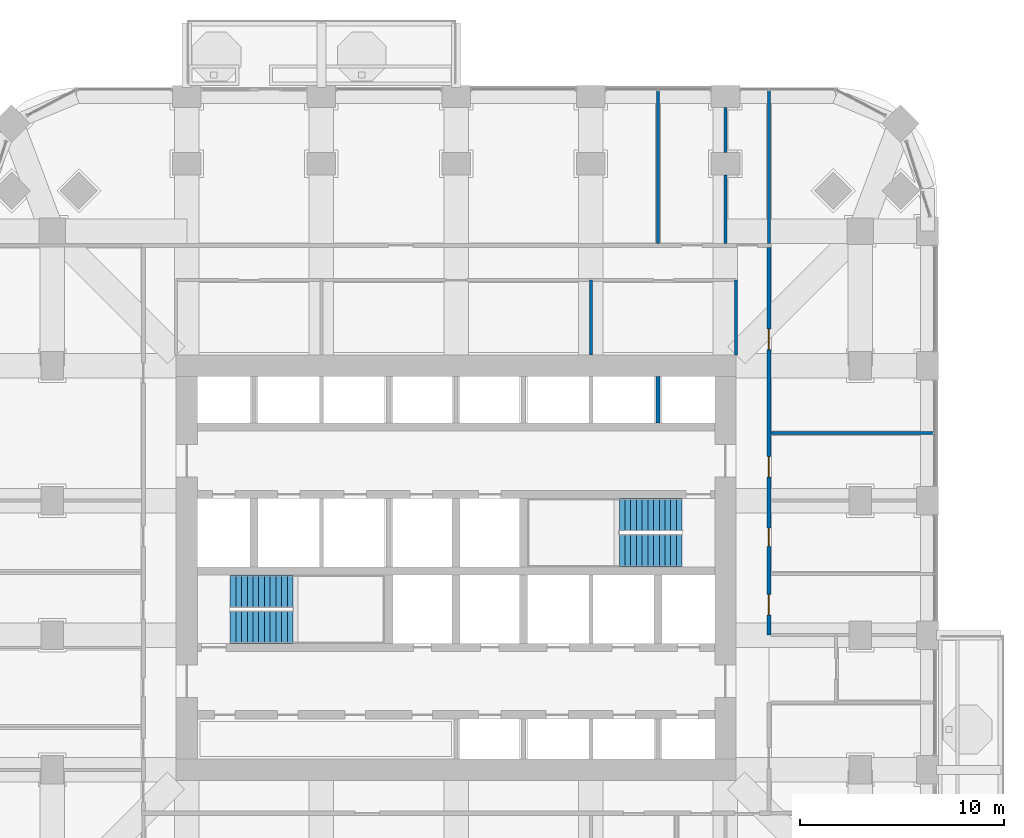
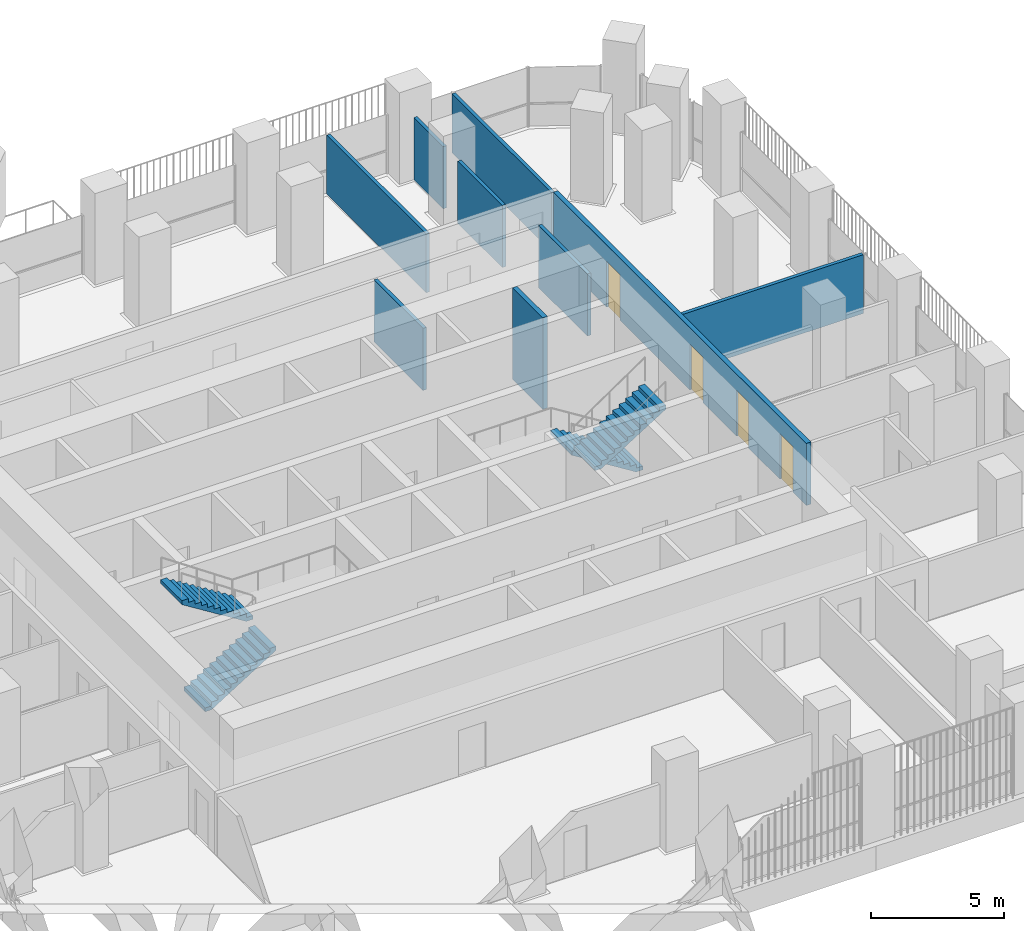
# One storey, part 16 of 21: 9 walls, 4 doors, 4 stair flights, 4 openings, 2 elements without a shape of their own.
"""IFC4 building model written with IfcOpenShell, lengths in metres."""

from ifc_helpers import new_model, si_unit, direction, frame, frame_2d, origin, place, context, subcontext, project, spatial, polyline, rectangle, outline, extrude, material, layer, layer_set, type_object, element, fill, aggregate, save


model = new_model("IFC4")

# Units and contexts
model_context = context("Model", 3, precision=1e-05, world=origin(), true_north=direction((0.0, 1.0)))
body_context = subcontext(model_context, "Body", "Model", "MODEL_VIEW")
ifc_project = project(units=[si_unit("LENGTHUNIT", "METRE"), si_unit("AREAUNIT", "SQUARE_METRE"), si_unit("VOLUMEUNIT", "CUBIC_METRE"), si_unit("PLANEANGLEUNIT", "RADIAN"), si_unit("MASSUNIT", "GRAM", prefix="KILO")], contexts=[model_context])

# Site, building, storey
site_placement = place(None, origin())
site = spatial("IfcSite", under=ifc_project, at=site_placement, CompositionType="ELEMENT")
building_placement = place(site_placement, origin())
building = spatial("IfcBuilding", under=site, at=building_placement, Name="Cobogo Forest Laboratory Tower", CompositionType="ELEMENT")
storey_placement = place(building_placement, frame((0.0, 0.0, 124.199951171875)))
storey = spatial("IfcBuildingStorey", under=building, at=storey_placement, Name="L28", CompositionType="ELEMENT", Elevation=124.199951171875)

# Walls
ifc_material_1 = material(Name="Gypsum board on steel studs", Category="steel")
ifc_layer_1 = layer(ifc_material_1, 0.14990234375)
ifc_layer_set_1 = layer_set([ifc_layer_1], Name="PT1 laboratory partition 150")
wall_type_1 = type_object("IfcWallType", Name="PT1 laboratory partition 150", PredefinedType="PARTITIONING", material=ifc_layer_set_1)
for number, where, z_axis, x_axis, name in (
    (1, (40.125, 33.52490234375, 0.0), (0.0, 0.0, 1.0), (0.0, 1.0, 0.0), "Partition CSTRIP-NE L28"),
    (2, (33.0, 33.52490234375, 0.0), (0.0, 0.0, 1.0), (0.0, 1.0, 0.0), "Partition CSTRIP-N33 L28"),
):
    element("IfcWall", number, at=place(storey_placement, frame(where, z_axis=z_axis, x_axis=x_axis)), inside=storey, type_object=wall_type_1, Name=name, PredefinedType="PARTITIONING", context=body_context, shape_type="SweptSolid", body=[
        extrude(rectangle(XDim=3.675048828125, YDim=0.14990234375, at=frame_2d((1.83740234375, 0.0))), origin(), (0.0, 0.0, 1.0), 2.85009765625),
    ])
wall_1_placement = place(storey_placement, frame((41.72509765625, 46.469970703125, 0.0), z_axis=(0.0, 0.0, 1.0), x_axis=(0.0, -1.0, 0.0)))
element("IfcWall", 3, at=wall_1_placement, inside=storey, type_object=wall_type_1, Name="Partition PW-NE L28", PredefinedType="PARTITIONING", context=body_context, shape_type="SweptSolid", body=[
    extrude(rectangle(XDim=7.469970703125, YDim=0.14990234375, at=frame_2d((3.73486328125, 0.0))), origin(), (0.0, 0.0, 1.0), 2.699951171875),
])
wall_2_placement = place(storey_placement, frame((49.77001953125, 29.699951171875, 0.0), z_axis=(0.0, 0.0, 1.0), x_axis=(-1.0, 0.0, 0.0)))
element("IfcWall", 4, at=wall_2_placement, inside=storey, type_object=wall_type_1, Name="Partition CUT-E29.7-1 L28", PredefinedType="PARTITIONING", context=body_context, shape_type="SweptSolid", body=[
    extrude(rectangle(XDim=7.945068359375, YDim=0.14990234375, at=frame_2d((3.97265625, 0.0))), origin(), (0.0, 0.0, 1.0), 2.699951171875),
])
wall_3_placement = place(storey_placement, frame((36.300048828125, 46.469970703125, 0.0), z_axis=(0.0, 0.0, 1.0), x_axis=(0.0, -1.0, 0.0)))
element("IfcWall", 5, at=wall_3_placement, inside=storey, type_object=wall_type_1, Name="Partition CUT-N36.3-1 L28", PredefinedType="PARTITIONING", context=body_context, shape_type="SweptSolid", body=[
    extrude(rectangle(XDim=7.469970703125, YDim=0.14990234375, at=frame_2d((3.73486328125, 0.0))), origin(), (0.0, 0.0, 1.0), 2.699951171875),
])
wall_4_placement = place(storey_placement, frame((39.60009765625, 45.64990234375, 0.0), z_axis=(0.0, 0.0, 1.0), x_axis=(0.0, -1.0, 0.0)))
element("IfcWall", 6, at=wall_4_placement, inside=storey, type_object=wall_type_1, Name="Partition CUT-N39.6-1 L28", PredefinedType="PARTITIONING", context=body_context, shape_type="SweptSolid", body=[
    extrude(rectangle(XDim=2.199951171875, YDim=0.14990234375, at=frame_2d((1.10009765625, 0.0))), origin(), (0.0, 0.0, 1.0), 2.85009765625),
])
wall_5_placement = place(storey_placement, frame((39.60009765625, 42.35009765625, 0.0), z_axis=(0.0, 0.0, 1.0), x_axis=(0.0, -1.0, 0.0)))
element("IfcWall", 7, at=wall_5_placement, inside=storey, type_object=wall_type_1, Name="Partition CUT-N39.6-2 L28", PredefinedType="PARTITIONING", context=body_context, shape_type="SweptSolid", body=[
    extrude(rectangle(XDim=3.35009765625, YDim=0.14990234375, at=frame_2d((1.675048828125, 0.0))), origin(), (0.0, 0.0, 1.0), 2.85009765625),
])

# Wall, openings, doors
ifc_layer_2 = layer(ifc_material_1, 0.199951171875)
ifc_layer_set_2 = layer_set([ifc_layer_2], Name="PT2 fire-rated corridor partition 200")
wall_type_2 = type_object("IfcWallType", Name="PT2 fire-rated corridor partition 200", PredefinedType="PARTITIONING", material=ifc_layer_set_2)
wall_6_placement = place(storey_placement, frame((41.72509765625, 19.800048828125, 0.0), z_axis=(0.0, 0.0, 1.0), x_axis=(0.0, 1.0, 0.0)))
wall_6 = element("IfcWall", 8, at=wall_6_placement, inside=storey, type_object=wall_type_2, Name="Partition CORR-E-2 L28", PredefinedType="PARTITIONING", context=body_context, shape_type="SweptSolid", body=[
    extrude(rectangle(XDim=19.0, YDim=0.199951171875, at=frame_2d((9.5, 0.0))), origin(), (0.0, 0.0, 1.0), 2.85009765625),
])
opening_1_placement = place(wall_6_placement, frame((1.0, 0.0, 0.0)))
opening_1 = element("IfcOpeningElement", 9, at=opening_1_placement, cuts=wall_6, Name="Opening L28-D25", PredefinedType="OPENING", context=body_context, shape_type="SweptSolid", body=[
    extrude(rectangle(XDim=1.0, YDim=2.10009765625, at=frame_2d((0.5, 1.050048828125))), frame((0.0, 0.10986328125, 0.0), z_axis=(0.0, -1.0, 0.0), x_axis=(1.0, 0.0, 0.0)), (0.0, 0.0, 1.0), 0.219970703125),
])
opening_2_placement = place(wall_6_placement, frame((4.35009765625, 0.0, 0.0)))
opening_2 = element("IfcOpeningElement", 10, at=opening_2_placement, cuts=wall_6, Name="Opening L28-D26", PredefinedType="OPENING", context=body_context, shape_type="SweptSolid", body=[
    extrude(rectangle(XDim=0.89990234375, YDim=2.10009765625, at=frame_2d((0.449951171875, 1.050048828125))), frame((0.0, 0.10986328125, 0.0), z_axis=(0.0, -1.0, 0.0), x_axis=(1.0, 0.0, 0.0)), (0.0, 0.0, 1.0), 0.219970703125),
])
opening_3_placement = place(wall_6_placement, frame((7.75, 0.0, 0.0)))
opening_3 = element("IfcOpeningElement", 11, at=opening_3_placement, cuts=wall_6, Name="Opening L28-D29", PredefinedType="OPENING", context=body_context, shape_type="SweptSolid", body=[
    extrude(rectangle(XDim=1.0, YDim=2.10009765625, at=frame_2d((0.5, 1.050048828125))), frame((0.0, 0.10986328125, 0.0), z_axis=(0.0, -1.0, 0.0), x_axis=(1.0, 0.0, 0.0)), (0.0, 0.0, 1.0), 0.219970703125),
])
opening_4_placement = place(wall_6_placement, frame((14.0, 0.0, 0.0)))
opening_4 = element("IfcOpeningElement", 12, at=opening_4_placement, cuts=wall_6, Name="Opening L28-D33", PredefinedType="OPENING", context=body_context, shape_type="SweptSolid", body=[
    extrude(rectangle(XDim=1.0, YDim=2.10009765625, at=frame_2d((0.5, 1.050048828125))), frame((0.0, 0.10986328125, 0.0), z_axis=(0.0, -1.0, 0.0), x_axis=(1.0, 0.0, 0.0)), (0.0, 0.0, 1.0), 0.219970703125),
])
ifc_material_2 = material(Name="Steel fire door", Category="steel")
door_type_1 = type_object("IfcDoorType", Name="FD1 fire door 1000 EI2 60", OperationType="SINGLE_SWING_LEFT", PredefinedType="DOOR", material=ifc_material_2)
door_1_placement = place(opening_1_placement, origin())
door_1 = element("IfcDoor", 13, at=door_1_placement, inside=storey, type_object=door_type_1, Name="Door L28-ELEC", OperationType="SINGLE_SWING_LEFT", OverallHeight=2.10009765625, OverallWidth=1.0, PredefinedType="DOOR", context=body_context, shape_type="SweptSolid", body=[
    extrude(rectangle(XDim=1.0, YDim=2.10009765625, at=frame_2d((0.5, 1.050048828125))), frame((0.0, 0.02490234375, 0.0), z_axis=(0.0, -1.0, 0.0), x_axis=(1.0, 0.0, 0.0)), (0.0, 0.0, 1.0), 0.050048828125),
])
fill(opening_1, door_1)
ifc_material_3 = material(Name="Timber fire door", Category="wood")
door_type_2 = type_object("IfcDoorType", Name="FD2 fire door 1000 EI2 30", OperationType="SINGLE_SWING_LEFT", PredefinedType="DOOR", material=ifc_material_3)
door_2_placement = place(opening_3_placement, origin())
door_2 = element("IfcDoor", 14, at=door_2_placement, inside=storey, type_object=door_type_2, Name="Door L28-E3", OperationType="SINGLE_SWING_LEFT", OverallHeight=2.10009765625, OverallWidth=1.0, PredefinedType="DOOR", context=body_context, shape_type="SweptSolid", body=[
    extrude(rectangle(XDim=1.0, YDim=2.10009765625, at=frame_2d((0.5, 1.050048828125))), frame((0.0, 0.02490234375, 0.0), z_axis=(0.0, -1.0, 0.0), x_axis=(1.0, 0.0, 0.0)), (0.0, 0.0, 1.0), 0.050048828125),
])
fill(opening_3, door_2)
door_3_placement = place(opening_4_placement, origin())
door_3 = element("IfcDoor", 15, at=door_3_placement, inside=storey, type_object=door_type_2, Name="Door L28-E4", OperationType="SINGLE_SWING_RIGHT", OverallHeight=2.10009765625, OverallWidth=1.0, PredefinedType="DOOR", context=body_context, shape_type="SweptSolid", body=[
    extrude(rectangle(XDim=1.0, YDim=2.10009765625, at=frame_2d((0.5, 1.050048828125))), frame((0.0, 0.02490234375, 0.0), z_axis=(0.0, -1.0, 0.0), x_axis=(1.0, 0.0, 0.0)), (0.0, 0.0, 1.0), 0.050048828125),
])
fill(opening_4, door_3)
door_type_3 = type_object("IfcDoorType", Name="FD4 riser access door 900 EI2 60", OperationType="SINGLE_SWING_LEFT", PredefinedType="DOOR", material=ifc_material_2)
door_4_placement = place(opening_2_placement, origin())
door_4 = element("IfcDoor", 16, at=door_4_placement, inside=storey, type_object=door_type_3, Name="Door L28-COMMS", OperationType="SINGLE_SWING_LEFT", OverallHeight=2.10009765625, OverallWidth=0.89990234375, PredefinedType="DOOR", context=body_context, shape_type="SweptSolid", body=[
    extrude(rectangle(XDim=0.89990234375, YDim=2.10009765625, at=frame_2d((0.449951171875, 1.050048828125))), frame((0.0, 0.02490234375, 0.0), z_axis=(0.0, -1.0, 0.0), x_axis=(1.0, 0.0, 0.0)), (0.0, 0.0, 1.0), 0.050048828125),
])
fill(opening_2, door_4)

# Wall
ifc_material_4 = material(Name="Concrete block", Category="concrete")
ifc_layer_3 = layer(ifc_material_4, 0.199951171875)
ifc_layer_set_3 = layer_set([ifc_layer_3], Name="SW200 lift shaft separator 200")
wall_type_3 = type_object("IfcWallType", Name="SW200 lift shaft separator 200", PredefinedType="PARTITIONING", material=ifc_layer_set_3)
wall_7_placement = place(storey_placement, frame((36.300048828125, 30.199951171875, 0.0), z_axis=(0.0, 0.0, 1.0), x_axis=(0.0, 1.0, 0.0)))
element("IfcWall", 17, at=wall_7_placement, inside=storey, type_object=wall_type_3, Name="Core wall SEP-N7 L28", PredefinedType="PARTITIONING", context=body_context, shape_type="SweptSolid", body=[
    extrude(rectangle(XDim=2.275146484375, YDim=0.199951171875, at=frame_2d((1.1376953125, 0.0))), origin(), (0.0, 0.0, 1.0), 4.199951171875),
])

# Stair, stair flights
ifc_material_5 = material(Name="Precast concrete HA-40 (C40/50)", Category="concrete")
stair_type = type_object("IfcStairType", Name="ST24 exit stair 24 risers", PredefinedType="HALF_TURN_STAIR", material=ifc_material_5)
stair_1_placement = place(storey_placement, origin())
stair_1 = element("IfcStair", 18, at=stair_1_placement, inside=storey, type_object=stair_type, Name="Stair 1 L28 to L29", PredefinedType="HALF_TURN_STAIR")
stair_flight_type = type_object("IfcStairFlightType", Name="ST stair flight 280 going", PredefinedType="STRAIGHT", material=ifc_material_5)
stair_flight_1_placement = place(storey_placement, frame((15.324951171875, 20.199951171875, 0.0), z_axis=(0.0, 0.0, 1.0), x_axis=(1.0, 0.0, 0.0)))
stair_flight_1 = element("IfcStairFlight", 19, at=stair_flight_1_placement, type_object=stair_flight_type, Name="ST1 flight 1", NumberOfRisers=12, NumberOfTreads=11, PredefinedType="STRAIGHT", RiserHeight=0.175, TreadLength=0.28, context=body_context, shape_type="SweptSolid", body=[
    extrude(outline(polyline([(0.0, 0.0), (0.0, 0.175048828125), (0.280029296875, 0.175048828125), (0.280029296875, 0.35009765625), (0.56005859375, 0.35009765625), (0.56005859375, 0.52490234375), (0.840087890625, 0.52490234375), (0.840087890625, 0.699951171875), (1.1201171875, 0.699951171875), (1.1201171875, 0.875), (1.39990234375, 0.875), (1.39990234375, 1.050048828125), (1.679931640625, 1.050048828125), (1.679931640625, 1.22509765625), (1.9599609375, 1.22509765625), (1.9599609375, 1.39990234375), (2.239990234375, 1.39990234375), (2.239990234375, 1.574951171875), (2.52001953125, 1.574951171875), (2.52001953125, 1.75), (2.800048828125, 1.75), (2.800048828125, 1.925048828125), (3.080078125, 1.925048828125), (3.080078125, 2.10009765625), (3.080078125, 1.748291015625), (0.28271484375, 0.0), (0.0, 0.0)])), frame((0.0, 0.800048828125, 0.0), z_axis=(0.0, -1.0, 0.0), x_axis=(1.0, 0.0, 0.0)), (0.0, 0.0, 1.0), 1.60009765625),
])
stair_flight_2_placement = place(storey_placement, frame((18.405029296875, 21.949951171875, 2.10009765625), z_axis=(0.0, 0.0, 1.0), x_axis=(-1.0, 0.0, 0.0)))
stair_flight_2 = element("IfcStairFlight", 20, at=stair_flight_2_placement, type_object=stair_flight_type, Name="ST1 flight 2", NumberOfRisers=12, NumberOfTreads=11, PredefinedType="STRAIGHT", RiserHeight=0.175, TreadLength=0.28, context=body_context, shape_type="SweptSolid", body=[
    extrude(outline(polyline([(0.0, 0.0), (0.0, 0.175048828125), (0.280029296875, 0.175048828125), (0.280029296875, 0.35009765625), (0.56005859375, 0.35009765625), (0.56005859375, 0.52490234375), (0.840087890625, 0.52490234375), (0.840087890625, 0.699951171875), (1.1201171875, 0.699951171875), (1.1201171875, 0.875), (1.39990234375, 0.875), (1.39990234375, 1.050048828125), (1.679931640625, 1.050048828125), (1.679931640625, 1.22509765625), (1.9599609375, 1.22509765625), (1.9599609375, 1.39990234375), (2.239990234375, 1.39990234375), (2.239990234375, 1.574951171875), (2.52001953125, 1.574951171875), (2.52001953125, 1.75), (2.800048828125, 1.75), (2.800048828125, 1.925048828125), (3.080078125, 1.925048828125), (3.080078125, 2.10009765625), (3.080078125, 1.748291015625), (0.28271484375, 0.0), (0.0, 0.0)])), frame((0.0, 0.800048828125, 0.0), z_axis=(0.0, -1.0, 0.0), x_axis=(1.0, 0.0, 0.0)), (0.0, 0.0, 1.0), 1.60009765625),
])
aggregate(stair_1, [stair_flight_1, stair_flight_2])

stair_2_placement = place(storey_placement, origin())
stair_2 = element("IfcStair", 21, at=stair_2_placement, inside=storey, type_object=stair_type, Name="Stair 2 L28 to L29", PredefinedType="HALF_TURN_STAIR")
stair_flight_3_placement = place(storey_placement, frame((37.47509765625, 25.699951171875, 0.0), z_axis=(0.0, 0.0, 1.0), x_axis=(-1.0, 0.0, 0.0)))
stair_flight_3 = element("IfcStairFlight", 22, at=stair_flight_3_placement, type_object=stair_flight_type, Name="ST2 flight 1", NumberOfRisers=12, NumberOfTreads=11, PredefinedType="STRAIGHT", RiserHeight=0.175, TreadLength=0.28, context=body_context, shape_type="SweptSolid", body=[
    extrude(outline(polyline([(0.0, 0.0), (0.0, 0.175048828125), (0.280029296875, 0.175048828125), (0.280029296875, 0.35009765625), (0.56005859375, 0.35009765625), (0.56005859375, 0.52490234375), (0.840087890625, 0.52490234375), (0.840087890625, 0.699951171875), (1.1201171875, 0.699951171875), (1.1201171875, 0.875), (1.39990234375, 0.875), (1.39990234375, 1.050048828125), (1.679931640625, 1.050048828125), (1.679931640625, 1.22509765625), (1.9599609375, 1.22509765625), (1.9599609375, 1.39990234375), (2.239990234375, 1.39990234375), (2.239990234375, 1.574951171875), (2.52001953125, 1.574951171875), (2.52001953125, 1.75), (2.800048828125, 1.75), (2.800048828125, 1.925048828125), (3.080078125, 1.925048828125), (3.080078125, 2.10009765625), (3.080078125, 1.748291015625), (0.28271484375, 0.0), (0.0, 0.0)])), frame((0.0, 0.800048828125, 0.0), z_axis=(0.0, -1.0, 0.0), x_axis=(1.0, 0.0, 0.0)), (0.0, 0.0, 1.0), 1.60009765625),
])
stair_flight_4_placement = place(storey_placement, frame((34.39501953125, 23.949951171875, 2.10009765625), z_axis=(0.0, 0.0, 1.0), x_axis=(1.0, 0.0, 0.0)))
stair_flight_4 = element("IfcStairFlight", 23, at=stair_flight_4_placement, type_object=stair_flight_type, Name="ST2 flight 2", NumberOfRisers=12, NumberOfTreads=11, PredefinedType="STRAIGHT", RiserHeight=0.175, TreadLength=0.28, context=body_context, shape_type="SweptSolid", body=[
    extrude(outline(polyline([(0.0, 0.0), (0.0, 0.175048828125), (0.280029296875, 0.175048828125), (0.280029296875, 0.35009765625), (0.56005859375, 0.35009765625), (0.56005859375, 0.52490234375), (0.840087890625, 0.52490234375), (0.840087890625, 0.699951171875), (1.1201171875, 0.699951171875), (1.1201171875, 0.875), (1.39990234375, 0.875), (1.39990234375, 1.050048828125), (1.679931640625, 1.050048828125), (1.679931640625, 1.22509765625), (1.9599609375, 1.22509765625), (1.9599609375, 1.39990234375), (2.239990234375, 1.39990234375), (2.239990234375, 1.574951171875), (2.52001953125, 1.574951171875), (2.52001953125, 1.75), (2.800048828125, 1.75), (2.800048828125, 1.925048828125), (3.080078125, 1.925048828125), (3.080078125, 2.10009765625), (3.080078125, 1.748291015625), (0.28271484375, 0.0), (0.0, 0.0)])), frame((0.0, 0.800048828125, 0.0), z_axis=(0.0, -1.0, 0.0), x_axis=(1.0, 0.0, 0.0)), (0.0, 0.0, 1.0), 1.60009765625),
])
aggregate(stair_2, [stair_flight_3, stair_flight_4])

save(model, "model.ifc")
